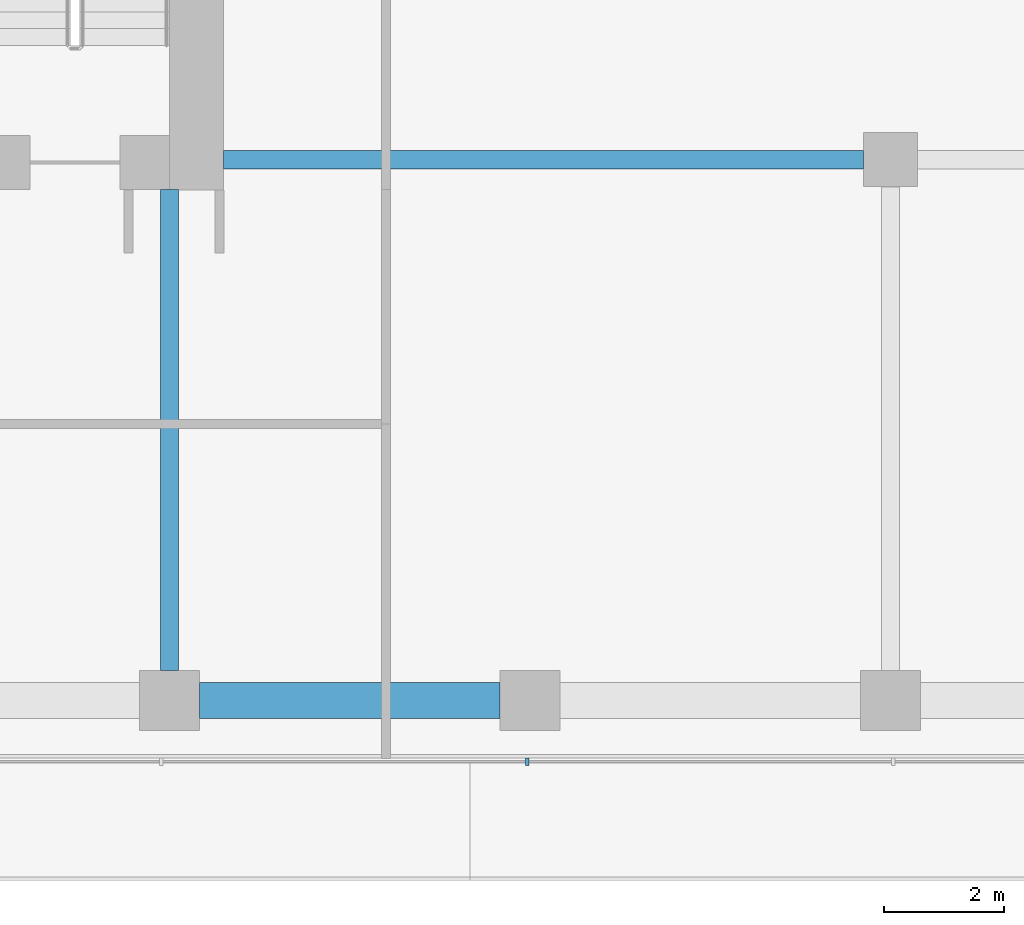
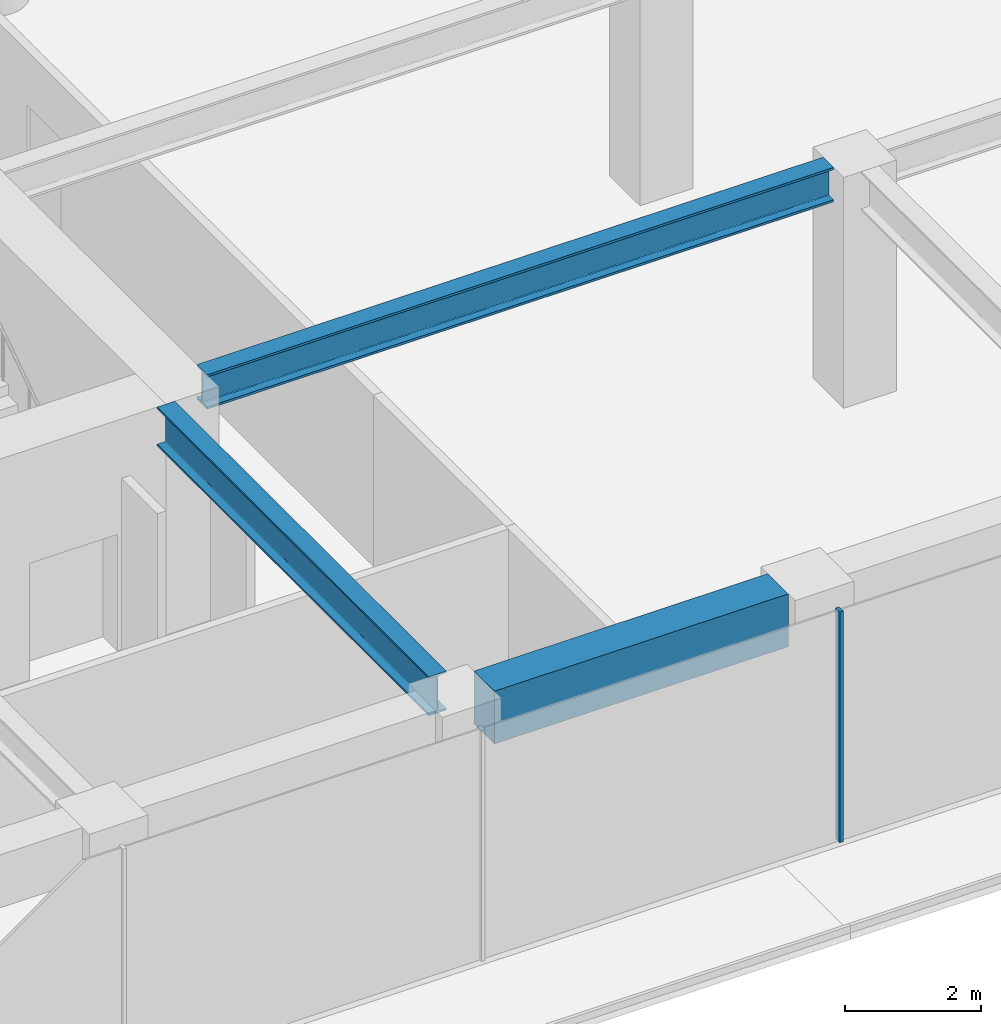
# One storey, part 3 of 24: 3 beams, 1 member, 1 element without a shape of its own.
"""IFC4 building model written with IfcOpenShell, lengths in metres."""

from ifc_helpers import new_model, si_unit, direction, frame, origin, origin_2d, place, context, subcontext, project, spatial, rectangle, i_section, extrude, material, layer, layer_set, material_profile, profile_set, type_object, element, aggregate, save


model = new_model("IFC4")

# Units and contexts
model_context = context("Model", 3, precision=1e-05, world=origin(), true_north=direction((0.0, 1.0)))
body_context = subcontext(model_context, "Body", "Model", "MODEL_VIEW")
ifc_project = project(units=[si_unit("LENGTHUNIT", "METRE"), si_unit("AREAUNIT", "SQUARE_METRE"), si_unit("VOLUMEUNIT", "CUBIC_METRE"), si_unit("PLANEANGLEUNIT", "RADIAN"), si_unit("MASSUNIT", "GRAM", prefix="KILO")], contexts=[model_context])

# Site, building, storey
site_placement = place(None, origin())
site = spatial("IfcSite", under=ifc_project, at=site_placement, CompositionType="ELEMENT")
building_placement = place(site_placement, origin())
building = spatial("IfcBuilding", under=site, at=building_placement, Name="Welwitschia Terrace Campus", CompositionType="ELEMENT")
storey_placement = place(building_placement, frame((0.0, 0.0, 20.0)))
storey = spatial("IfcBuildingStorey", under=building, at=storey_placement, Name="L04", CompositionType="ELEMENT", Elevation=20.0)

# Beam
ifc_material_1 = material(Name="Steel S355", Category="steel")
ifc_material_profile_1 = material_profile(ifc_material_1, i_section(OverallWidth=0.304931640625, OverallDepth=0.6201171875, WebThickness=0.02099609375, FlangeThickness=0.0400390625, FilletRadius=0.027099609375, at=origin_2d()))
ifc_profile_set_1 = profile_set([ifc_material_profile_1], Name="Steel S355")
beam_type_1 = type_object("IfcBeamType", Name="Interior girder HE 600 M", PredefinedType="BEAM", material=ifc_profile_set_1)
beam_1_placement = place(storey_placement, frame((24.90087890625, 5.0, 3.840087890625), z_axis=(1.0, 0.0, 0.0), x_axis=(0.0, 1.0, 0.0)))
element("IfcBeam", 1, at=beam_1_placement, inside=storey, type_object=beam_type_1, Name="Girder GB1", PredefinedType="BEAM", context=body_context, shape_type="SweptSolid", body=[
    extrude(i_section(OverallWidth=0.304931640625, OverallDepth=0.6201171875, WebThickness=0.02099609375, FlangeThickness=0.0400390625, FilletRadius=0.027099609375, at=origin_2d()), origin(), (0.0, 0.0, 1.0), 10.648681640625),
])

# Curtain wall, member
ifc_material_2 = material(Name="Bronze anodised aluminium", Category="aluminium")
ifc_layer = layer(ifc_material_2, 0.1201171875)
ifc_layer_set = layer_set([ifc_layer], Name="Bronze anodised aluminium")
curtain_wall_type = type_object("IfcCurtainWallType", Name="Curtain wall CW2 tower 6000", PredefinedType="NOTDEFINED", material=ifc_layer_set)
curtain_wall_placement = place(storey_placement, origin())
curtain_wall = element("IfcCurtainWall", 2, at=curtain_wall_placement, inside=storey, type_object=curtain_wall_type, Name="CW L04.1.0", PredefinedType="NOTDEFINED")
ifc_material_3 = material(Name="Bronze anodised aluminium", Category="aluminium")
ifc_material_profile_2 = material_profile(ifc_material_3, rectangle(XDim=0.1201171875, YDim=0.06005859375, at=origin_2d()))
ifc_profile_set_2 = profile_set([ifc_material_profile_2], Name="Bronze anodised aluminium")
member_type = type_object("IfcMemberType", Name="Mullion 60x120", PredefinedType="MULLION", material=ifc_profile_set_2)
member_placement = place(storey_placement, frame((29.953125, -5.02001953125, 0.0), z_axis=(0.0, 0.0, 1.0), x_axis=(0.0, 1.0, 0.0)))
member = element("IfcMember", 3, at=member_placement, type_object=member_type, Name="Mullion L04.1.0.4", PredefinedType="MULLION", context=body_context, shape_type="SweptSolid", body=[
    extrude(rectangle(XDim=0.1201171875, YDim=0.06005859375, at=origin_2d()), origin(), (0.0, 0.0, 1.0), 4.14990234375),
])
aggregate(curtain_wall, [member])

# Beams
ifc_material_4 = material(Name="Steel S355", Category="steel")
ifc_material_profile_3 = material_profile(ifc_material_4, i_section(OverallWidth=0.300048828125, OverallDepth=0.699951171875, WebThickness=0.01708984375, FlangeThickness=0.031982421875, FilletRadius=0.027099609375, at=origin_2d()))
ifc_profile_set_3 = profile_set([ifc_material_profile_3], Name="Steel S355")
beam_type_2 = type_object("IfcBeamType", Name="Primary beam HE 700 B", PredefinedType="BEAM", material=ifc_profile_set_3)
beam_2_placement = place(storey_placement, frame((24.0, -3.49951171875, 3.800048828125), z_axis=(0.0, 1.0, 0.0), x_axis=(-1.0, 0.0, 0.0)))
element("IfcBeam", 4, at=beam_2_placement, inside=storey, type_object=beam_type_2, Name="Primary beam PB1", PredefinedType="BEAM", context=body_context, shape_type="SweptSolid", body=[
    extrude(i_section(OverallWidth=0.300048828125, OverallDepth=0.699951171875, WebThickness=0.01708984375, FlangeThickness=0.031982421875, FilletRadius=0.027099609375, at=origin_2d()), origin(), (0.0, 0.0, 1.0), 7.99951171875),
])
ifc_material_5 = material(Name="Concrete C60/75", Category="concrete")
ifc_material_profile_4 = material_profile(ifc_material_5, rectangle(XDim=0.60009765625, YDim=0.949951171875, at=origin_2d()))
ifc_profile_set_4 = profile_set([ifc_material_profile_4], Name="Concrete C60/75")
beam_type_3 = type_object("IfcBeamType", Name="Ring spandrel 600x950", PredefinedType="SPANDREL", material=ifc_profile_set_4)
beam_3_placement = place(storey_placement, frame((24.50048828125, -4.0, 3.675048828125), z_axis=(1.0, 0.0, 0.0), x_axis=(0.0, 1.0, 0.0)))
element("IfcBeam", 5, at=beam_3_placement, inside=storey, type_object=beam_type_3, Name="Spandrel SP1", PredefinedType="SPANDREL", context=body_context, shape_type="SweptSolid", body=[
    extrude(rectangle(XDim=0.60009765625, YDim=0.949951171875, at=origin_2d()), origin(), (0.0, 0.0, 1.0), 4.9990234375),
])

save(model, "model.ifc")
